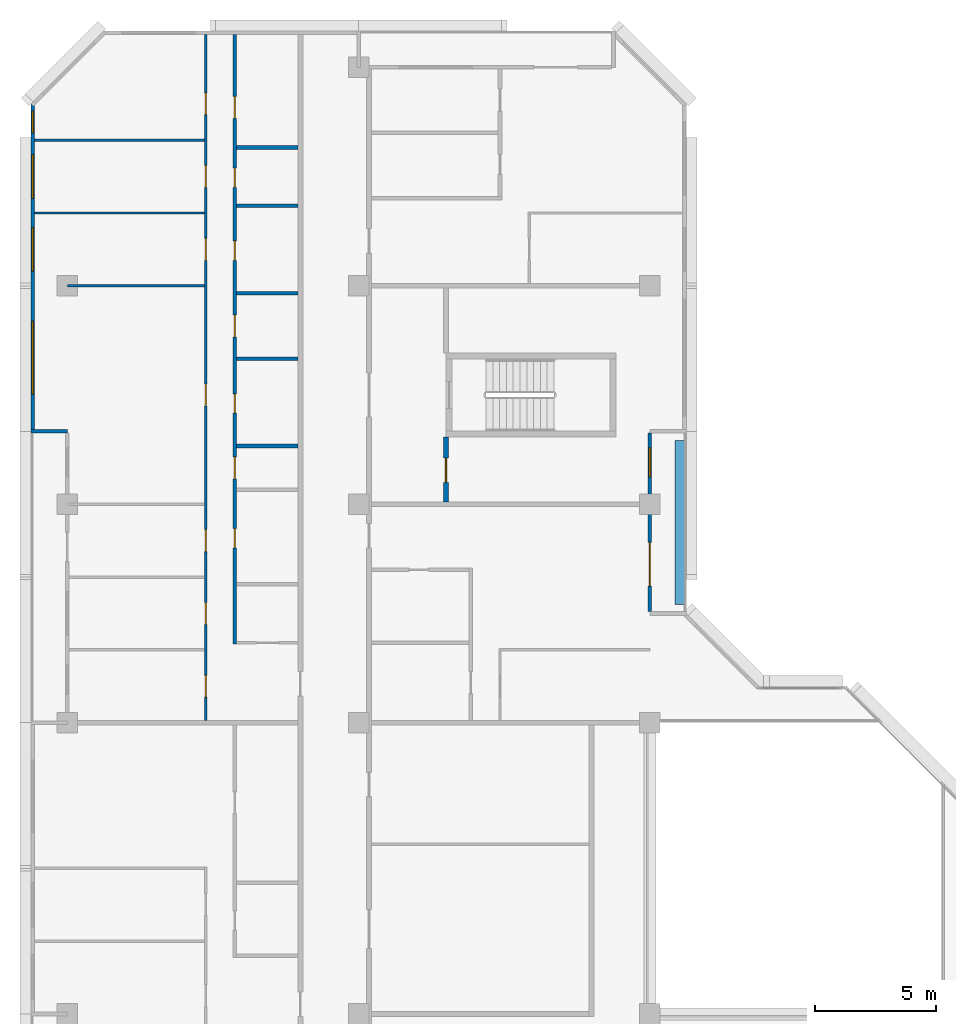
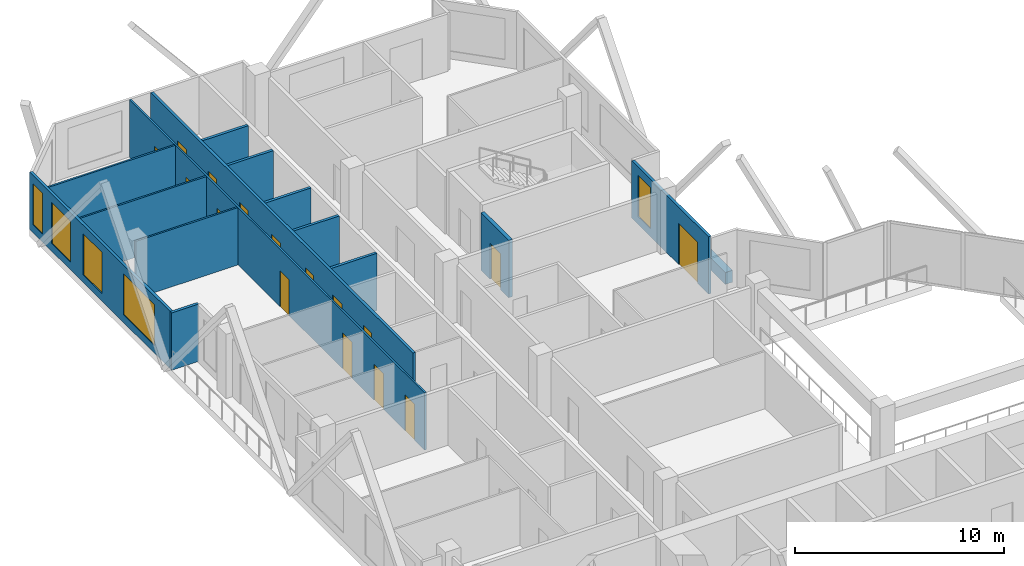
# One storey, part 10 of 14: 16 doors, 15 walls, 5 windows, 21 openings.
"""IFC4 building model written with IfcOpenShell, lengths in metres."""

from ifc_helpers import new_model, si_unit, direction, frame, frame_2d, origin, place, context, subcontext, project, spatial, rectangle, extrude, material, layer, layer_set, type_object, element, fill, save


model = new_model("IFC4")

# Units and contexts
model_context = context("Model", 3, precision=1e-05, world=origin(), true_north=direction((0.0, 1.0)))
body_context = subcontext(model_context, "Body", "Model", "MODEL_VIEW")
ifc_project = project(units=[si_unit("LENGTHUNIT", "METRE"), si_unit("AREAUNIT", "SQUARE_METRE"), si_unit("VOLUMEUNIT", "CUBIC_METRE"), si_unit("PLANEANGLEUNIT", "RADIAN"), si_unit("MASSUNIT", "GRAM", prefix="KILO")], contexts=[model_context])

# Site, building, storey
site_placement = place(None, origin())
site = spatial("IfcSite", under=ifc_project, at=site_placement, CompositionType="ELEMENT")
building_placement = place(site_placement, origin())
building = spatial("IfcBuilding", under=site, at=building_placement, Name="Chenar Terraces", CompositionType="ELEMENT")
storey_placement = place(building_placement, frame((0.0, 0.0, 226.64990234375)))
storey = spatial("IfcBuildingStorey", under=building, at=storey_placement, Name="L53", CompositionType="ELEMENT", Elevation=226.64990234375)

# Wall, opening, door
ifc_material_1 = material(Name="Gypsum board on steel studs with fire boards", Category="steel")
ifc_layer_1 = layer(ifc_material_1, 0.199951171875)
ifc_layer_set_1 = layer_set([ifc_layer_1], Name="Gypsum board on steel studs with fire boards")
wall_type_1 = type_object("IfcWallType", Name="Corridor wall 200", PredefinedType="PARTITIONING", material=ifc_layer_set_1)
wall_1_placement = place(storey_placement, frame((15.60009765625, 45.10009765625, 0.0), z_axis=(0.0, 0.0, 1.0), x_axis=(0.0, 1.0, 0.0)))
wall_1 = element("IfcWall", 1, at=wall_1_placement, inside=storey, type_object=wall_type_1, Name="Partition L53-042", PredefinedType="PARTITIONING", context=body_context, shape_type="SweptSolid", body=[
    extrude(rectangle(XDim=2.6748046875, YDim=0.199951171875, at=frame_2d((1.33740234375, 0.0))), origin(), (0.0, 0.0, 1.0), 3.35009765625),
])
opening_1_placement = place(wall_1_placement, frame((0.800048828125, 0.0, 0.0)))
opening_1 = element("IfcOpeningElement", 2, at=opening_1_placement, cuts=wall_1, Name="Opening DL53-43", PredefinedType="OPENING", context=body_context, shape_type="SweptSolid", body=[
    extrude(rectangle(XDim=1.0, YDim=2.10009765625, at=frame_2d((0.5, 1.050048828125))), frame((0.0, 0.10986328125, 0.0), z_axis=(0.0, -1.0, 0.0), x_axis=(1.0, 0.0, 0.0)), (0.0, 0.0, 1.0), 0.219970703125),
])
ifc_material_2 = material(Name="Steel-framed fire-resisting door leaf", Category="steel")
door_type_1 = type_object("IfcDoorType", Name="Fire door FD60 1000 x 2100", OperationType="SINGLE_SWING_LEFT", PredefinedType="DOOR", material=ifc_material_2)
door_1_placement = place(opening_1_placement, frame((1.0, 0.0, 0.0), z_axis=(0.0, 0.0, 1.0), x_axis=(-1.0, 0.0, 0.0)))
door_1 = element("IfcDoor", 3, at=door_1_placement, inside=storey, type_object=door_type_1, Name="Door DL53-43", OperationType="SINGLE_SWING_RIGHT", OverallHeight=2.10009765625, OverallWidth=1.0, PredefinedType="DOOR", context=body_context, shape_type="SweptSolid", body=[
    extrude(rectangle(XDim=1.0, YDim=2.10009765625, at=frame_2d((0.5, 1.050048828125))), frame((0.0, 0.02490234375, 0.0), z_axis=(0.0, -1.0, 0.0), x_axis=(1.0, 0.0, 0.0)), (0.0, 0.0, 1.0), 0.050048828125),
])
fill(opening_1, door_1)

# Wall, openings, windows
ifc_material_3 = material(Name="Aluminium framed glazing", Category="aluminium")
ifc_layer_2 = layer(ifc_material_3, 0.14990234375)
ifc_layer_set_2 = layer_set([ifc_layer_2], Name="Aluminium framed glazing")
wall_type_2 = type_object("IfcWallType", Name="Glazed flush facade wall 150", PredefinedType="SOLIDWALL", material=ifc_layer_set_2)
wall_2_placement = place(storey_placement, frame((-1.425048828125, 61.5, 0.0), z_axis=(0.0, 0.0, 1.0), x_axis=(0.0, -1.0, 0.0)))
wall_2 = element("IfcWall", 4, at=wall_2_placement, inside=storey, type_object=wall_type_2, Name="Glazed flush facade wall", PredefinedType="SOLIDWALL", context=body_context, shape_type="SweptSolid", body=[
    extrude(rectangle(XDim=13.425048828125, YDim=0.14990234375, at=frame_2d((6.71240234375, 0.0))), origin(), (0.0, 0.0, 1.0), 3.35009765625),
])
opening_2_placement = place(wall_2_placement, frame((0.300048828125, 0.0, 0.449951171875)))
opening_2 = element("IfcOpeningElement", 5, at=opening_2_placement, cuts=wall_2, Name="Opening W90x240", PredefinedType="OPENING", context=body_context, shape_type="SweptSolid", body=[
    extrude(rectangle(XDim=0.89990234375, YDim=2.39990234375, at=frame_2d((0.449951171875, 1.199951171875))), frame((0.0, 0.0849609375, 0.0), z_axis=(0.0, -1.0, 0.0), x_axis=(1.0, 0.0, 0.0)), (0.0, 0.0, 1.0), 0.169921875),
])
opening_3_placement = place(wall_2_placement, frame((2.10009765625, 0.0, 0.449951171875)))
opening_3 = element("IfcOpeningElement", 6, at=opening_3_placement, cuts=wall_2, Name="Opening W180x240", PredefinedType="OPENING", context=body_context, shape_type="SweptSolid", body=[
    extrude(rectangle(XDim=1.800048828125, YDim=2.39990234375, at=frame_2d((0.89990234375, 1.199951171875))), frame((0.0, 0.0849609375, 0.0), z_axis=(0.0, -1.0, 0.0), x_axis=(1.0, 0.0, 0.0)), (0.0, 0.0, 1.0), 0.169921875),
])
opening_4_placement = place(wall_2_placement, frame((5.10009765625, 0.0, 0.449951171875)))
opening_4 = element("IfcOpeningElement", 7, at=opening_4_placement, cuts=wall_2, Name="Opening W180x240", PredefinedType="OPENING", context=body_context, shape_type="SweptSolid", body=[
    extrude(rectangle(XDim=1.800048828125, YDim=2.39990234375, at=frame_2d((0.89990234375, 1.199951171875))), frame((0.0, 0.0849609375, 0.0), z_axis=(0.0, -1.0, 0.0), x_axis=(1.0, 0.0, 0.0)), (0.0, 0.0, 1.0), 0.169921875),
])
opening_5_placement = place(wall_2_placement, frame((8.96240234375, 0.0, 0.449951171875)))
opening_5 = element("IfcOpeningElement", 8, at=opening_5_placement, cuts=wall_2, Name="Opening W300x240", PredefinedType="OPENING", context=body_context, shape_type="SweptSolid", body=[
    extrude(rectangle(XDim=3.0, YDim=2.39990234375, at=frame_2d((1.5, 1.199951171875))), frame((0.0, 0.0849609375, 0.0), z_axis=(0.0, -1.0, 0.0), x_axis=(1.0, 0.0, 0.0)), (0.0, 0.0, 1.0), 0.169921875),
])
ifc_material_4 = material(Name="Low emissivity double glazing, aluminium frame", Category="aluminium")
window_type_1 = type_object("IfcWindowType", Name="Fixed light 1800 x 2400", PartitioningType="SINGLE_PANEL", PredefinedType="WINDOW", material=ifc_material_4)
window_1_placement = place(opening_3_placement, origin())
window_1 = element("IfcWindow", 9, at=window_1_placement, inside=storey, type_object=window_type_1, Name="Window", OverallHeight=2.39990234375, OverallWidth=1.800048828125, PartitioningType="SINGLE_PANEL", PredefinedType="WINDOW", context=body_context, shape_type="SweptSolid", body=[
    extrude(rectangle(XDim=1.800048828125, YDim=2.39990234375, at=frame_2d((0.89990234375, 1.199951171875))), frame((0.0, 0.030029296875, 0.0), z_axis=(0.0, -1.0, 0.0), x_axis=(1.0, 0.0, 0.0)), (0.0, 0.0, 1.0), 0.06005859375),
])
fill(opening_3, window_1)
window_2_placement = place(opening_4_placement, origin())
window_2 = element("IfcWindow", 10, at=window_2_placement, inside=storey, type_object=window_type_1, Name="Window", OverallHeight=2.39990234375, OverallWidth=1.800048828125, PartitioningType="SINGLE_PANEL", PredefinedType="WINDOW", context=body_context, shape_type="SweptSolid", body=[
    extrude(rectangle(XDim=1.800048828125, YDim=2.39990234375, at=frame_2d((0.89990234375, 1.199951171875))), frame((0.0, 0.030029296875, 0.0), z_axis=(0.0, -1.0, 0.0), x_axis=(1.0, 0.0, 0.0)), (0.0, 0.0, 1.0), 0.06005859375),
])
fill(opening_4, window_2)
ifc_material_5 = material(Name="Low emissivity double glazing, aluminium frame", Category="aluminium")
window_type_2 = type_object("IfcWindowType", Name="Fixed light 3000 x 2400", PartitioningType="SINGLE_PANEL", PredefinedType="WINDOW", material=ifc_material_5)
window_3_placement = place(opening_5_placement, origin())
window_3 = element("IfcWindow", 11, at=window_3_placement, inside=storey, type_object=window_type_2, Name="Window", OverallHeight=2.39990234375, OverallWidth=3.0, PartitioningType="SINGLE_PANEL", PredefinedType="WINDOW", context=body_context, shape_type="SweptSolid", body=[
    extrude(rectangle(XDim=3.0, YDim=2.39990234375, at=frame_2d((1.5, 1.199951171875))), frame((0.0, 0.030029296875, 0.0), z_axis=(0.0, -1.0, 0.0), x_axis=(1.0, 0.0, 0.0)), (0.0, 0.0, 1.0), 0.06005859375),
])
fill(opening_5, window_3)
ifc_material_6 = material(Name="Low emissivity double glazing, aluminium frame", Category="aluminium")
window_type_3 = type_object("IfcWindowType", Name="Fixed light 900 x 2400", PartitioningType="SINGLE_PANEL", PredefinedType="WINDOW", material=ifc_material_6)
window_4_placement = place(opening_2_placement, origin())
window_4 = element("IfcWindow", 12, at=window_4_placement, inside=storey, type_object=window_type_3, Name="Window", OverallHeight=2.39990234375, OverallWidth=0.89990234375, PartitioningType="SINGLE_PANEL", PredefinedType="WINDOW", context=body_context, shape_type="SweptSolid", body=[
    extrude(rectangle(XDim=0.89990234375, YDim=2.39990234375, at=frame_2d((0.449951171875, 1.199951171875))), frame((0.0, 0.030029296875, 0.0), z_axis=(0.0, -1.0, 0.0), x_axis=(1.0, 0.0, 0.0)), (0.0, 0.0, 1.0), 0.06005859375),
])
fill(opening_2, window_4)

# Wall, openings, window, door
ifc_material_7 = material(Name="Aluminium framed glazing", Category="aluminium")
ifc_layer_3 = layer(ifc_material_7, 0.14990234375)
ifc_layer_set_3 = layer_set([ifc_layer_3], Name="Aluminium framed glazing")
wall_type_3 = type_object("IfcWallType", Name="Glazed loggia back wall 150", PredefinedType="SOLIDWALL", material=ifc_layer_set_3)
wall_3_placement = place(storey_placement, frame((24.0, 40.574951171875, 0.0), z_axis=(0.0, 0.0, 1.0), x_axis=(0.0, 1.0, 0.0)))
wall_3 = element("IfcWall", 13, at=wall_3_placement, inside=storey, type_object=wall_type_3, Name="Glazed loggia back wall", PredefinedType="SOLIDWALL", context=body_context, shape_type="SweptSolid", body=[
    extrude(rectangle(XDim=7.35009765625, YDim=0.14990234375, at=frame_2d((3.675048828125, 0.0))), origin(), (0.0, 0.0, 1.0), 3.35009765625),
])
opening_6_placement = place(wall_3_placement, frame((1.050048828125, 0.0, 0.0)))
opening_6 = element("IfcOpeningElement", 14, at=opening_6_placement, cuts=wall_3, Name="Opening DL53-G1", PredefinedType="OPENING", context=body_context, shape_type="SweptSolid", body=[
    extrude(rectangle(XDim=1.800048828125, YDim=2.39990234375, at=frame_2d((0.89990234375, 1.199951171875))), frame((0.0, 0.0849609375, 0.0), z_axis=(0.0, -1.0, 0.0), x_axis=(1.0, 0.0, 0.0)), (0.0, 0.0, 1.0), 0.169921875),
])
opening_7_placement = place(wall_3_placement, frame((5.550048828125, 0.0, 0.449951171875)))
opening_7 = element("IfcOpeningElement", 15, at=opening_7_placement, cuts=wall_3, Name="Opening W120x240", PredefinedType="OPENING", context=body_context, shape_type="SweptSolid", body=[
    extrude(rectangle(XDim=1.199951171875, YDim=2.39990234375, at=frame_2d((0.60009765625, 1.199951171875))), frame((0.0, 0.0849609375, 0.0), z_axis=(0.0, -1.0, 0.0), x_axis=(1.0, 0.0, 0.0)), (0.0, 0.0, 1.0), 0.169921875),
])
ifc_material_8 = material(Name="Low emissivity double glazing, aluminium frame", Category="aluminium")
window_type_4 = type_object("IfcWindowType", Name="Fixed light 1200 x 2400", PartitioningType="SINGLE_PANEL", PredefinedType="WINDOW", material=ifc_material_8)
window_5_placement = place(opening_7_placement, origin())
window_5 = element("IfcWindow", 16, at=window_5_placement, inside=storey, type_object=window_type_4, Name="Window", OverallHeight=2.39990234375, OverallWidth=1.199951171875, PartitioningType="SINGLE_PANEL", PredefinedType="WINDOW", context=body_context, shape_type="SweptSolid", body=[
    extrude(rectangle(XDim=1.199951171875, YDim=2.39990234375, at=frame_2d((0.60009765625, 1.199951171875))), frame((0.0, 0.030029296875, 0.0), z_axis=(0.0, -1.0, 0.0), x_axis=(1.0, 0.0, 0.0)), (0.0, 0.0, 1.0), 0.06005859375),
])
fill(opening_7, window_5)
ifc_material_9 = material(Name="Low emissivity double glazing, aluminium frame", Category="aluminium")
door_type_2 = type_object("IfcDoorType", Name="Loggia glazed double door 1800 x 2400", OperationType="DOUBLE_DOOR_SINGLE_SWING", PredefinedType="DOOR", material=ifc_material_9)
door_2_placement = place(opening_6_placement, frame((1.800048828125, 0.0, 0.0), z_axis=(0.0, 0.0, 1.0), x_axis=(-1.0, 0.0, 0.0)))
door_2 = element("IfcDoor", 17, at=door_2_placement, inside=storey, type_object=door_type_2, Name="Loggia glazed door", OperationType="DOUBLE_DOOR_SINGLE_SWING", OverallHeight=2.39990234375, OverallWidth=1.800048828125, PredefinedType="DOOR", context=body_context, shape_type="SweptSolid", body=[
    extrude(rectangle(XDim=1.800048828125, YDim=2.39990234375, at=frame_2d((0.89990234375, 1.199951171875))), frame((0.0, 0.02490234375, 0.0), z_axis=(0.0, -1.0, 0.0), x_axis=(1.0, 0.0, 0.0)), (0.0, 0.0, 1.0), 0.050048828125),
])
fill(opening_6, door_2)

# Walls
ifc_material_10 = material(Name="Gypsum board on steel studs", Category="steel")
ifc_layer_4 = layer(ifc_material_10, 0.10009765625)
ifc_layer_set_4 = layer_set([ifc_layer_4], Name="Gypsum board on steel studs")
wall_type_4 = type_object("IfcWallType", Name="Gypsum partition 100", PredefinedType="PARTITIONING", material=ifc_layer_set_4)
for number, where, z_axis, x_axis, name in (
    (18, (-1.35107421875, 57.0, 0.0), (0.0, 0.0, 1.0), (1.0, 0.0, 0.0), "Partition L53-002"),
    (19, (-1.35107421875, 60.0, 0.0), (0.0, 0.0, 1.0), (1.0, 0.0, 0.0), "Partition L53-003"),
):
    element("IfcWall", number, at=place(storey_placement, frame(where, z_axis=z_axis, x_axis=x_axis)), inside=storey, type_object=wall_type_4, Name=name, PredefinedType="PARTITIONING", context=body_context, shape_type="SweptSolid", body=[
        extrude(rectangle(XDim=7.0009765625, YDim=0.10009765625, at=frame_2d((3.50048828125, 0.0))), origin(), (0.0, 0.0, 1.0), 3.35009765625),
    ])
wall_4_placement = place(storey_placement, frame((0.0, 54.0, 0.0), z_axis=(0.0, 0.0, 1.0), x_axis=(1.0, 0.0, 0.0)))
element("IfcWall", 20, at=wall_4_placement, inside=storey, type_object=wall_type_4, Name="Partition L53-006", PredefinedType="PARTITIONING", context=body_context, shape_type="SweptSolid", body=[
    extrude(rectangle(XDim=5.64990234375, YDim=0.10009765625, at=frame_2d((2.824951171875, 0.0))), origin(), (0.0, 0.0, 1.0), 3.35009765625),
])

# Wall, openings, doors
wall_5_placement = place(storey_placement, frame((5.699951171875, 36.10009765625, 0.0), z_axis=(0.0, 0.0, 1.0), x_axis=(0.0, 1.0, 0.0)))
wall_5 = element("IfcWall", 21, at=wall_5_placement, inside=storey, type_object=wall_type_4, Name="Partition L53-014", PredefinedType="PARTITIONING", context=body_context, shape_type="SweptSolid", body=[
    extrude(rectangle(XDim=28.25, YDim=0.10009765625, at=frame_2d((14.125, 0.0))), origin(), (0.0, 0.0, 1.0), 3.35009765625),
])
opening_8_placement = place(wall_5_placement, frame((0.949951171875, 0.0, 0.0)))
opening_8 = element("IfcOpeningElement", 22, at=opening_8_placement, cuts=wall_5, Name="Opening DL53-23", PredefinedType="OPENING", context=body_context, shape_type="SweptSolid", body=[
    extrude(rectangle(XDim=0.89990234375, YDim=2.10009765625, at=frame_2d((0.449951171875, 1.050048828125))), frame((0.0, 0.06005859375, 0.0), z_axis=(0.0, -1.0, 0.0), x_axis=(1.0, 0.0, 0.0)), (0.0, 0.0, 1.0), 0.1201171875),
])
opening_9_placement = place(wall_5_placement, frame((3.949951171875, 0.0, 0.0)))
opening_9 = element("IfcOpeningElement", 23, at=opening_9_placement, cuts=wall_5, Name="Opening DL53-24", PredefinedType="OPENING", context=body_context, shape_type="SweptSolid", body=[
    extrude(rectangle(XDim=0.89990234375, YDim=2.10009765625, at=frame_2d((0.449951171875, 1.050048828125))), frame((0.0, 0.06005859375, 0.0), z_axis=(0.0, -1.0, 0.0), x_axis=(1.0, 0.0, 0.0)), (0.0, 0.0, 1.0), 0.1201171875),
])
opening_10_placement = place(wall_5_placement, frame((6.949951171875, 0.0, 0.0)))
opening_10 = element("IfcOpeningElement", 24, at=opening_10_placement, cuts=wall_5, Name="Opening DL53-25", PredefinedType="OPENING", context=body_context, shape_type="SweptSolid", body=[
    extrude(rectangle(XDim=0.89990234375, YDim=2.10009765625, at=frame_2d((0.449951171875, 1.050048828125))), frame((0.0, 0.06005859375, 0.0), z_axis=(0.0, -1.0, 0.0), x_axis=(1.0, 0.0, 0.0)), (0.0, 0.0, 1.0), 0.1201171875),
])
opening_11_placement = place(wall_5_placement, frame((18.949951171875, 0.0, 0.0)))
opening_11 = element("IfcOpeningElement", 25, at=opening_11_placement, cuts=wall_5, Name="Opening DL53-26", PredefinedType="OPENING", context=body_context, shape_type="SweptSolid", body=[
    extrude(rectangle(XDim=0.89990234375, YDim=2.10009765625, at=frame_2d((0.449951171875, 1.050048828125))), frame((0.0, 0.06005859375, 0.0), z_axis=(0.0, -1.0, 0.0), x_axis=(1.0, 0.0, 0.0)), (0.0, 0.0, 1.0), 0.1201171875),
])
opening_12_placement = place(wall_5_placement, frame((21.949951171875, 0.0, 0.0)))
opening_12 = element("IfcOpeningElement", 26, at=opening_12_placement, cuts=wall_5, Name="Opening DL53-27", PredefinedType="OPENING", context=body_context, shape_type="SweptSolid", body=[
    extrude(rectangle(XDim=0.89990234375, YDim=2.10009765625, at=frame_2d((0.449951171875, 1.050048828125))), frame((0.0, 0.06005859375, 0.0), z_axis=(0.0, -1.0, 0.0), x_axis=(1.0, 0.0, 0.0)), (0.0, 0.0, 1.0), 0.1201171875),
])
opening_13_placement = place(wall_5_placement, frame((24.949951171875, 0.0, 0.0)))
opening_13 = element("IfcOpeningElement", 27, at=opening_13_placement, cuts=wall_5, Name="Opening DL53-28", PredefinedType="OPENING", context=body_context, shape_type="SweptSolid", body=[
    extrude(rectangle(XDim=0.89990234375, YDim=2.10009765625, at=frame_2d((0.449951171875, 1.050048828125))), frame((0.0, 0.06005859375, 0.0), z_axis=(0.0, -1.0, 0.0), x_axis=(1.0, 0.0, 0.0)), (0.0, 0.0, 1.0), 0.1201171875),
])
opening_14_placement = place(wall_5_placement, frame((12.949951171875, 0.0, 0.0)))
opening_14 = element("IfcOpeningElement", 28, at=opening_14_placement, cuts=wall_5, Name="Opening DL53-32", PredefinedType="OPENING", context=body_context, shape_type="SweptSolid", body=[
    extrude(rectangle(XDim=0.89990234375, YDim=2.10009765625, at=frame_2d((0.449951171875, 1.050048828125))), frame((0.0, 0.06005859375, 0.0), z_axis=(0.0, -1.0, 0.0), x_axis=(1.0, 0.0, 0.0)), (0.0, 0.0, 1.0), 0.1201171875),
])
ifc_material_11 = material(Name="Veneered timber door leaf", Category="wood")
door_type_3 = type_object("IfcDoorType", Name="Door 900 x 2100", OperationType="SINGLE_SWING_LEFT", PredefinedType="DOOR", material=ifc_material_11)
door_3_placement = place(opening_8_placement, origin())
door_3 = element("IfcDoor", 29, at=door_3_placement, inside=storey, type_object=door_type_3, Name="Door DL53-23", OperationType="SINGLE_SWING_RIGHT", OverallHeight=2.10009765625, OverallWidth=0.89990234375, PredefinedType="DOOR", context=body_context, shape_type="SweptSolid", body=[
    extrude(rectangle(XDim=0.89990234375, YDim=2.10009765625, at=frame_2d((0.449951171875, 1.050048828125))), frame((0.0, 0.02490234375, 0.0), z_axis=(0.0, -1.0, 0.0), x_axis=(1.0, 0.0, 0.0)), (0.0, 0.0, 1.0), 0.050048828125),
])
fill(opening_8, door_3)
door_4_placement = place(opening_9_placement, origin())
door_4 = element("IfcDoor", 30, at=door_4_placement, inside=storey, type_object=door_type_3, Name="Door DL53-24", OperationType="SINGLE_SWING_RIGHT", OverallHeight=2.10009765625, OverallWidth=0.89990234375, PredefinedType="DOOR", context=body_context, shape_type="SweptSolid", body=[
    extrude(rectangle(XDim=0.89990234375, YDim=2.10009765625, at=frame_2d((0.449951171875, 1.050048828125))), frame((0.0, 0.02490234375, 0.0), z_axis=(0.0, -1.0, 0.0), x_axis=(1.0, 0.0, 0.0)), (0.0, 0.0, 1.0), 0.050048828125),
])
fill(opening_9, door_4)
door_5_placement = place(opening_10_placement, origin())
door_5 = element("IfcDoor", 31, at=door_5_placement, inside=storey, type_object=door_type_3, Name="Door DL53-25", OperationType="SINGLE_SWING_RIGHT", OverallHeight=2.10009765625, OverallWidth=0.89990234375, PredefinedType="DOOR", context=body_context, shape_type="SweptSolid", body=[
    extrude(rectangle(XDim=0.89990234375, YDim=2.10009765625, at=frame_2d((0.449951171875, 1.050048828125))), frame((0.0, 0.02490234375, 0.0), z_axis=(0.0, -1.0, 0.0), x_axis=(1.0, 0.0, 0.0)), (0.0, 0.0, 1.0), 0.050048828125),
])
fill(opening_10, door_5)
door_6_placement = place(opening_11_placement, origin())
door_6 = element("IfcDoor", 32, at=door_6_placement, inside=storey, type_object=door_type_3, Name="Door DL53-26", OperationType="SINGLE_SWING_RIGHT", OverallHeight=2.10009765625, OverallWidth=0.89990234375, PredefinedType="DOOR", context=body_context, shape_type="SweptSolid", body=[
    extrude(rectangle(XDim=0.89990234375, YDim=2.10009765625, at=frame_2d((0.449951171875, 1.050048828125))), frame((0.0, 0.02490234375, 0.0), z_axis=(0.0, -1.0, 0.0), x_axis=(1.0, 0.0, 0.0)), (0.0, 0.0, 1.0), 0.050048828125),
])
fill(opening_11, door_6)
door_7_placement = place(opening_12_placement, origin())
door_7 = element("IfcDoor", 33, at=door_7_placement, inside=storey, type_object=door_type_3, Name="Door DL53-27", OperationType="SINGLE_SWING_RIGHT", OverallHeight=2.10009765625, OverallWidth=0.89990234375, PredefinedType="DOOR", context=body_context, shape_type="SweptSolid", body=[
    extrude(rectangle(XDim=0.89990234375, YDim=2.10009765625, at=frame_2d((0.449951171875, 1.050048828125))), frame((0.0, 0.02490234375, 0.0), z_axis=(0.0, -1.0, 0.0), x_axis=(1.0, 0.0, 0.0)), (0.0, 0.0, 1.0), 0.050048828125),
])
fill(opening_12, door_7)
door_8_placement = place(opening_13_placement, origin())
door_8 = element("IfcDoor", 34, at=door_8_placement, inside=storey, type_object=door_type_3, Name="Door DL53-28", OperationType="SINGLE_SWING_LEFT", OverallHeight=2.10009765625, OverallWidth=0.89990234375, PredefinedType="DOOR", context=body_context, shape_type="SweptSolid", body=[
    extrude(rectangle(XDim=0.89990234375, YDim=2.10009765625, at=frame_2d((0.449951171875, 1.050048828125))), frame((0.0, 0.02490234375, 0.0), z_axis=(0.0, -1.0, 0.0), x_axis=(1.0, 0.0, 0.0)), (0.0, 0.0, 1.0), 0.050048828125),
])
fill(opening_13, door_8)
door_9_placement = place(opening_14_placement, frame((0.89990234375, 0.0, 0.0), z_axis=(0.0, 0.0, 1.0), x_axis=(-1.0, 0.0, 0.0)))
door_9 = element("IfcDoor", 35, at=door_9_placement, inside=storey, type_object=door_type_3, Name="Door DL53-32", OperationType="SINGLE_SWING_LEFT", OverallHeight=2.10009765625, OverallWidth=0.89990234375, PredefinedType="DOOR", context=body_context, shape_type="SweptSolid", body=[
    extrude(rectangle(XDim=0.89990234375, YDim=2.10009765625, at=frame_2d((0.449951171875, 1.050048828125))), frame((0.0, 0.02490234375, 0.0), z_axis=(0.0, -1.0, 0.0), x_axis=(1.0, 0.0, 0.0)), (0.0, 0.0, 1.0), 0.050048828125),
])
fill(opening_14, door_9)

# Walls
ifc_material_12 = material(Name="Terracotta cladding on insulated backing", Category="masonry")
ifc_layer_5 = layer(ifc_material_12, 0.14990234375)
ifc_layer_set_5 = layer_set([ifc_layer_5], Name="Terracotta cladding on insulated backing")
wall_type_5 = type_object("IfcWallType", Name="Loggia return wall 150", PredefinedType="SOLIDWALL", material=ifc_layer_set_5)
wall_6_placement = place(storey_placement, frame((-1.5, 48.0, 0.0), z_axis=(0.0, 0.0, 1.0), x_axis=(1.0, 0.0, 0.0)))
element("IfcWall", 36, at=wall_6_placement, inside=storey, type_object=wall_type_5, Name="Loggia return wall", PredefinedType="SOLIDWALL", context=body_context, shape_type="SweptSolid", body=[
    extrude(rectangle(XDim=1.5, YDim=0.14990234375, at=frame_2d((0.75, 0.0))), origin(), (0.0, 0.0, 1.0), 3.35009765625),
])
ifc_material_13 = material(Name="GRP planter trough")
ifc_layer_6 = layer(ifc_material_13, 0.39990234375)
ifc_layer_set_6 = layer_set([ifc_layer_6], Name="GRP planter trough")
wall_type_6 = type_object("IfcWallType", Name="Vertical greenery planter 400", PredefinedType="SOLIDWALL", material=ifc_layer_set_6)
wall_7_placement = place(storey_placement, frame((25.22900390625, 40.875, 0.0), z_axis=(0.0, 0.0, 1.0), x_axis=(0.0, 1.0, 0.0)))
element("IfcWall", 37, at=wall_7_placement, inside=storey, type_object=wall_type_6, Name="Vertical greenery planter", PredefinedType="SOLIDWALL", context=body_context, shape_type="SweptSolid", body=[
    extrude(rectangle(XDim=6.75, YDim=0.39990234375, at=frame_2d((3.375, 0.0))), origin(), (0.0, 0.0, 1.0), 0.7001953125),
])

# Wall, openings, doors
ifc_material_14 = material(Name="Moisture-resistant gypsum board on steel studs", Category="steel")
ifc_layer_7 = layer(ifc_material_14, 0.14990234375)
ifc_layer_set_7 = layer_set([ifc_layer_7], Name="Moisture-resistant gypsum board on steel studs")
wall_type_7 = type_object("IfcWallType", Name="Wet-room partition 150", PredefinedType="PARTITIONING", material=ifc_layer_set_7)
wall_8_placement = place(storey_placement, frame((6.89990234375, 39.25, 0.0), z_axis=(0.0, 0.0, 1.0), x_axis=(0.0, 1.0, 0.0)))
wall_8 = element("IfcWall", 38, at=wall_8_placement, inside=storey, type_object=wall_type_7, Name="Partition L53-016", PredefinedType="PARTITIONING", context=body_context, shape_type="SweptSolid", body=[
    extrude(rectangle(XDim=25.10009765625, YDim=0.14990234375, at=frame_2d((12.550048828125, 0.0))), origin(), (0.0, 0.0, 1.0), 3.35009765625),
])
opening_15_placement = place(wall_8_placement, frame((9.5, 0.0, 0.0)))
opening_15 = element("IfcOpeningElement", 39, at=opening_15_placement, cuts=wall_8, Name="Opening DL53-22", PredefinedType="OPENING", context=body_context, shape_type="SweptSolid", body=[
    extrude(rectangle(XDim=0.800048828125, YDim=2.10009765625, at=frame_2d((0.39990234375, 1.050048828125))), frame((0.0, 0.0849609375, 0.0), z_axis=(0.0, -1.0, 0.0), x_axis=(1.0, 0.0, 0.0)), (0.0, 0.0, 1.0), 0.169921875),
])
opening_16_placement = place(wall_8_placement, frame((12.64990234375, 0.0, 0.0)))
opening_16 = element("IfcOpeningElement", 40, at=opening_16_placement, cuts=wall_8, Name="Opening DL53-30", PredefinedType="OPENING", context=body_context, shape_type="SweptSolid", body=[
    extrude(rectangle(XDim=0.89990234375, YDim=2.10009765625, at=frame_2d((0.449951171875, 1.050048828125))), frame((0.0, 0.0849609375, 0.0), z_axis=(0.0, -1.0, 0.0), x_axis=(1.0, 0.0, 0.0)), (0.0, 0.0, 1.0), 0.169921875),
])
opening_17_placement = place(wall_8_placement, frame((18.800048828125, 0.0, 0.0)))
opening_17 = element("IfcOpeningElement", 41, at=opening_17_placement, cuts=wall_8, Name="Opening DL53-31", PredefinedType="OPENING", context=body_context, shape_type="SweptSolid", body=[
    extrude(rectangle(XDim=0.800048828125, YDim=2.10009765625, at=frame_2d((0.39990234375, 1.050048828125))), frame((0.0, 0.0849609375, 0.0), z_axis=(0.0, -1.0, 0.0), x_axis=(1.0, 0.0, 0.0)), (0.0, 0.0, 1.0), 0.169921875),
])
opening_18_placement = place(wall_8_placement, frame((6.800048828125, 0.0, 0.0)))
opening_18 = element("IfcOpeningElement", 42, at=opening_18_placement, cuts=wall_8, Name="Opening DL53-34", PredefinedType="OPENING", context=body_context, shape_type="SweptSolid", body=[
    extrude(rectangle(XDim=0.89990234375, YDim=2.10009765625, at=frame_2d((0.449951171875, 1.050048828125))), frame((0.0, 0.0849609375, 0.0), z_axis=(0.0, -1.0, 0.0), x_axis=(1.0, 0.0, 0.0)), (0.0, 0.0, 1.0), 0.169921875),
])
opening_19_placement = place(wall_8_placement, frame((21.64990234375, 0.0, 0.0)))
opening_19 = element("IfcOpeningElement", 43, at=opening_19_placement, cuts=wall_8, Name="Opening DL53-35", PredefinedType="OPENING", context=body_context, shape_type="SweptSolid", body=[
    extrude(rectangle(XDim=0.89990234375, YDim=2.10009765625, at=frame_2d((0.449951171875, 1.050048828125))), frame((0.0, 0.0849609375, 0.0), z_axis=(0.0, -1.0, 0.0), x_axis=(1.0, 0.0, 0.0)), (0.0, 0.0, 1.0), 0.169921875),
])
opening_20_placement = place(wall_8_placement, frame((3.949951171875, 0.0, 0.0)))
opening_20 = element("IfcOpeningElement", 44, at=opening_20_placement, cuts=wall_8, Name="Opening DL53-36", PredefinedType="OPENING", context=body_context, shape_type="SweptSolid", body=[
    extrude(rectangle(XDim=0.800048828125, YDim=2.10009765625, at=frame_2d((0.39990234375, 1.050048828125))), frame((0.0, 0.0849609375, 0.0), z_axis=(0.0, -1.0, 0.0), x_axis=(1.0, 0.0, 0.0)), (0.0, 0.0, 1.0), 0.169921875),
])
opening_21_placement = place(wall_8_placement, frame((15.800048828125, 0.0, 0.0)))
opening_21 = element("IfcOpeningElement", 45, at=opening_21_placement, cuts=wall_8, Name="Opening DL53-37", PredefinedType="OPENING", context=body_context, shape_type="SweptSolid", body=[
    extrude(rectangle(XDim=0.800048828125, YDim=2.10009765625, at=frame_2d((0.39990234375, 1.050048828125))), frame((0.0, 0.0849609375, 0.0), z_axis=(0.0, -1.0, 0.0), x_axis=(1.0, 0.0, 0.0)), (0.0, 0.0, 1.0), 0.169921875),
])
ifc_material_15 = material(Name="Veneered timber door leaf", Category="wood")
door_type_4 = type_object("IfcDoorType", Name="Door 800 x 2100", OperationType="SINGLE_SWING_LEFT", PredefinedType="DOOR", material=ifc_material_15)
door_10_placement = place(opening_15_placement, frame((0.800048828125, 0.0, 0.0), z_axis=(0.0, 0.0, 1.0), x_axis=(-1.0, 0.0, 0.0)))
door_10 = element("IfcDoor", 46, at=door_10_placement, inside=storey, type_object=door_type_4, Name="Door DL53-22", OperationType="SINGLE_SWING_RIGHT", OverallHeight=2.10009765625, OverallWidth=0.800048828125, PredefinedType="DOOR", context=body_context, shape_type="SweptSolid", body=[
    extrude(rectangle(XDim=0.800048828125, YDim=2.10009765625, at=frame_2d((0.39990234375, 1.050048828125))), frame((0.0, 0.02490234375, 0.0), z_axis=(0.0, -1.0, 0.0), x_axis=(1.0, 0.0, 0.0)), (0.0, 0.0, 1.0), 0.050048828125),
])
fill(opening_15, door_10)
door_11_placement = place(opening_17_placement, frame((0.800048828125, 0.0, 0.0), z_axis=(0.0, 0.0, 1.0), x_axis=(-1.0, 0.0, 0.0)))
door_11 = element("IfcDoor", 47, at=door_11_placement, inside=storey, type_object=door_type_4, Name="Door DL53-31", OperationType="SINGLE_SWING_RIGHT", OverallHeight=2.10009765625, OverallWidth=0.800048828125, PredefinedType="DOOR", context=body_context, shape_type="SweptSolid", body=[
    extrude(rectangle(XDim=0.800048828125, YDim=2.10009765625, at=frame_2d((0.39990234375, 1.050048828125))), frame((0.0, 0.02490234375, 0.0), z_axis=(0.0, -1.0, 0.0), x_axis=(1.0, 0.0, 0.0)), (0.0, 0.0, 1.0), 0.050048828125),
])
fill(opening_17, door_11)
door_12_placement = place(opening_20_placement, frame((0.800048828125, 0.0, 0.0), z_axis=(0.0, 0.0, 1.0), x_axis=(-1.0, 0.0, 0.0)))
door_12 = element("IfcDoor", 48, at=door_12_placement, inside=storey, type_object=door_type_4, Name="Door DL53-36", OperationType="SINGLE_SWING_RIGHT", OverallHeight=2.10009765625, OverallWidth=0.800048828125, PredefinedType="DOOR", context=body_context, shape_type="SweptSolid", body=[
    extrude(rectangle(XDim=0.800048828125, YDim=2.10009765625, at=frame_2d((0.39990234375, 1.050048828125))), frame((0.0, 0.02490234375, 0.0), z_axis=(0.0, -1.0, 0.0), x_axis=(1.0, 0.0, 0.0)), (0.0, 0.0, 1.0), 0.050048828125),
])
fill(opening_20, door_12)
door_13_placement = place(opening_21_placement, frame((0.800048828125, 0.0, 0.0), z_axis=(0.0, 0.0, 1.0), x_axis=(-1.0, 0.0, 0.0)))
door_13 = element("IfcDoor", 49, at=door_13_placement, inside=storey, type_object=door_type_4, Name="Door DL53-37", OperationType="SINGLE_SWING_RIGHT", OverallHeight=2.10009765625, OverallWidth=0.800048828125, PredefinedType="DOOR", context=body_context, shape_type="SweptSolid", body=[
    extrude(rectangle(XDim=0.800048828125, YDim=2.10009765625, at=frame_2d((0.39990234375, 1.050048828125))), frame((0.0, 0.02490234375, 0.0), z_axis=(0.0, -1.0, 0.0), x_axis=(1.0, 0.0, 0.0)), (0.0, 0.0, 1.0), 0.050048828125),
])
fill(opening_21, door_13)
door_14_placement = place(opening_16_placement, frame((0.89990234375, 0.0, 0.0), z_axis=(0.0, 0.0, 1.0), x_axis=(-1.0, 0.0, 0.0)))
door_14 = element("IfcDoor", 50, at=door_14_placement, inside=storey, type_object=door_type_3, Name="Door DL53-30", OperationType="SINGLE_SWING_LEFT", OverallHeight=2.10009765625, OverallWidth=0.89990234375, PredefinedType="DOOR", context=body_context, shape_type="SweptSolid", body=[
    extrude(rectangle(XDim=0.89990234375, YDim=2.10009765625, at=frame_2d((0.449951171875, 1.050048828125))), frame((0.0, 0.02490234375, 0.0), z_axis=(0.0, -1.0, 0.0), x_axis=(1.0, 0.0, 0.0)), (0.0, 0.0, 1.0), 0.050048828125),
])
fill(opening_16, door_14)
door_15_placement = place(opening_18_placement, frame((0.89990234375, 0.0, 0.0), z_axis=(0.0, 0.0, 1.0), x_axis=(-1.0, 0.0, 0.0)))
door_15 = element("IfcDoor", 51, at=door_15_placement, inside=storey, type_object=door_type_3, Name="Door DL53-34", OperationType="SINGLE_SWING_LEFT", OverallHeight=2.10009765625, OverallWidth=0.89990234375, PredefinedType="DOOR", context=body_context, shape_type="SweptSolid", body=[
    extrude(rectangle(XDim=0.89990234375, YDim=2.10009765625, at=frame_2d((0.449951171875, 1.050048828125))), frame((0.0, 0.02490234375, 0.0), z_axis=(0.0, -1.0, 0.0), x_axis=(1.0, 0.0, 0.0)), (0.0, 0.0, 1.0), 0.050048828125),
])
fill(opening_18, door_15)
door_16_placement = place(opening_19_placement, frame((0.89990234375, 0.0, 0.0), z_axis=(0.0, 0.0, 1.0), x_axis=(-1.0, 0.0, 0.0)))
door_16 = element("IfcDoor", 52, at=door_16_placement, inside=storey, type_object=door_type_3, Name="Door DL53-35", OperationType="SINGLE_SWING_RIGHT", OverallHeight=2.10009765625, OverallWidth=0.89990234375, PredefinedType="DOOR", context=body_context, shape_type="SweptSolid", body=[
    extrude(rectangle(XDim=0.89990234375, YDim=2.10009765625, at=frame_2d((0.449951171875, 1.050048828125))), frame((0.0, 0.02490234375, 0.0), z_axis=(0.0, -1.0, 0.0), x_axis=(1.0, 0.0, 0.0)), (0.0, 0.0, 1.0), 0.050048828125),
])
fill(opening_19, door_16)

# Walls
for number, where, z_axis, x_axis, name in (
    (53, (6.97509765625, 47.39990234375, 0.0), (0.0, 0.0, 1.0), (1.0, 0.0, 0.0), "Partition L53-022"),
    (54, (6.97509765625, 51.0, 0.0), (0.0, 0.0, 1.0), (1.0, 0.0, 0.0), "Partition L53-023"),
    (55, (6.97509765625, 53.699951171875, 0.0), (0.0, 0.0, 1.0), (1.0, 0.0, 0.0), "Partition L53-024"),
    (56, (6.97509765625, 57.300048828125, 0.0), (0.0, 0.0, 1.0), (1.0, 0.0, 0.0), "Partition L53-025"),
    (57, (6.97509765625, 59.699951171875, 0.0), (0.0, 0.0, 1.0), (1.0, 0.0, 0.0), "Partition L53-026"),
):
    element("IfcWall", number, at=place(storey_placement, frame(where, z_axis=z_axis, x_axis=x_axis)), inside=storey, type_object=wall_type_7, Name=name, PredefinedType="PARTITIONING", context=body_context, shape_type="SweptSolid", body=[
        extrude(rectangle(XDim=2.52490234375, YDim=0.14990234375, at=frame_2d((1.262451171875, 0.0))), origin(), (0.0, 0.0, 1.0), 3.35009765625),
    ])

save(model, "model.ifc")
